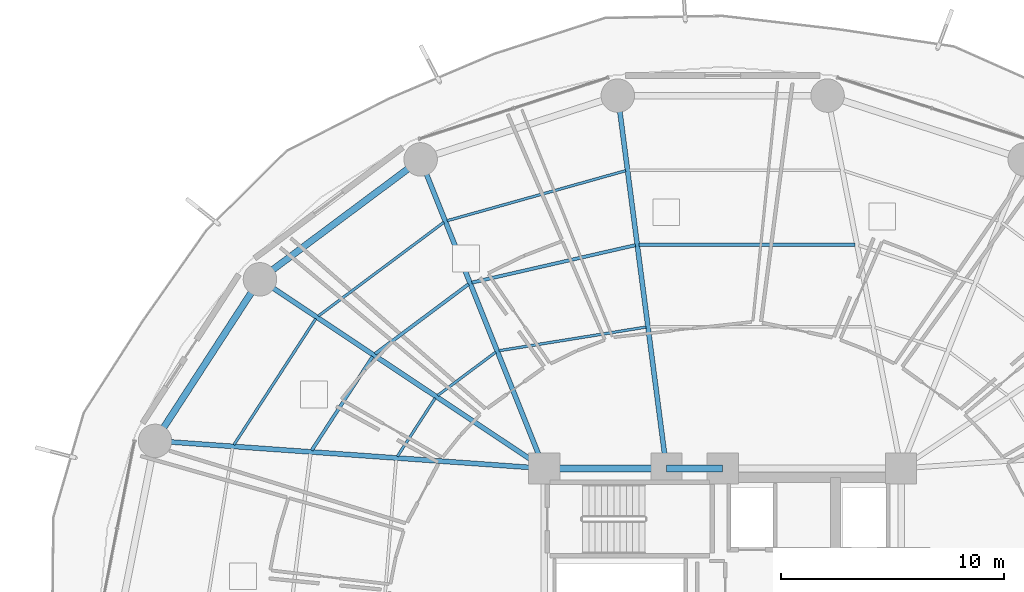
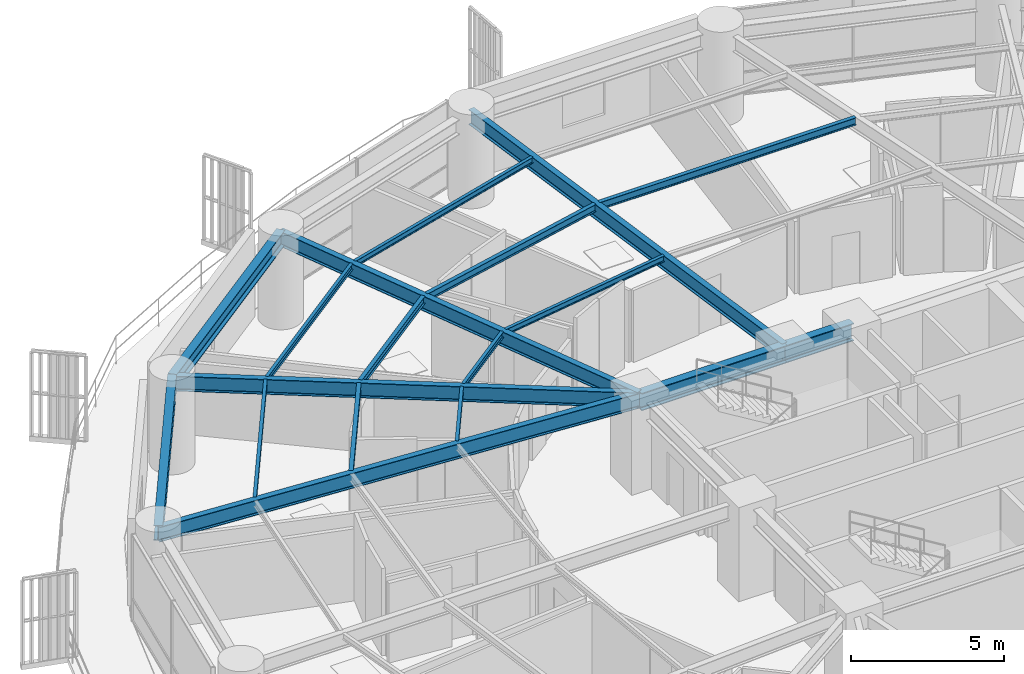
# One storey, part 16 of 33: 18 beams.
"""IFC4 building model written with IfcOpenShell, lengths in metres."""

from ifc_helpers import new_model, si_unit, direction, frame, origin, origin_2d, place, context, subcontext, project, spatial, i_section, extrude, material, material_profile, profile_set, type_object, element, save


model = new_model("IFC4")

# Units and contexts
model_context = context("Model", 3, precision=1e-05, world=origin(), true_north=direction((0.0, 1.0)))
body_context = subcontext(model_context, "Body", "Model", "MODEL_VIEW")
ifc_project = project(units=[si_unit("LENGTHUNIT", "METRE"), si_unit("AREAUNIT", "SQUARE_METRE"), si_unit("VOLUMEUNIT", "CUBIC_METRE"), si_unit("PLANEANGLEUNIT", "RADIAN"), si_unit("MASSUNIT", "GRAM", prefix="KILO")], contexts=[model_context])

# Site, building, storey
site_placement = place(None, origin())
site = spatial("IfcSite", under=ifc_project, at=site_placement, CompositionType="ELEMENT")
building_placement = place(site_placement, origin())
building = spatial("IfcBuilding", under=site, at=building_placement, Name="Kelanora Arch Commons", CompositionType="ELEMENT")
storey_placement = place(building_placement, frame((0.0, 0.0, 45.0)))
storey = spatial("IfcBuildingStorey", under=building, at=storey_placement, Name="L11", CompositionType="ELEMENT", Elevation=45.0)

# Beams
ifc_material = material(Name="Steel S355", Category="steel")
ifc_material_profile_1 = material_profile(ifc_material, i_section(OverallWidth=0.300048828125, OverallDepth=0.699951171875, WebThickness=0.01708984375, FlangeThickness=0.031982421875, FilletRadius=0.027099609375, at=origin_2d()), Name="HEB700")
ifc_profile_set_1 = profile_set([ifc_material_profile_1], Name="Steel S355")
beam_type_1 = type_object("IfcBeamType", Name="BM-CORE-HDR", PredefinedType="BEAM", material=ifc_profile_set_1)
beam_1_placement = place(storey_placement, frame((74.0, 65.0, 3.139892578125), z_axis=(-1.0, 0.0, 0.0), x_axis=(0.0, -1.0, 0.0)))
element("IfcBeam", 1, at=beam_1_placement, inside=storey, type_object=beam_type_1, Name="Core Header Beam 06 L11", PredefinedType="BEAM", context=body_context, shape_type="SweptSolid", body=[
    extrude(i_section(OverallWidth=0.300048828125, OverallDepth=0.699951171875, WebThickness=0.01708984375, FlangeThickness=0.031982421875, FilletRadius=0.027099609375, at=origin_2d()), origin(), (0.0, 0.0, 1.0), 2.52001953125),
])
beam_2_placement = place(storey_placement, frame((71.47998046875, 65.0, 3.139892578125), z_axis=(-1.0, 0.0, 0.0), x_axis=(0.0, -1.0, 0.0)))
element("IfcBeam", 2, at=beam_2_placement, inside=storey, type_object=beam_type_1, Name="Core Header Beam 07 L11", PredefinedType="BEAM", context=body_context, shape_type="SweptSolid", body=[
    extrude(i_section(OverallWidth=0.300048828125, OverallDepth=0.699951171875, WebThickness=0.01708984375, FlangeThickness=0.031982421875, FilletRadius=0.027099609375, at=origin_2d()), origin(), (0.0, 0.0, 1.0), 5.47998046875),
])
ifc_material_profile_2 = material_profile(ifc_material, i_section(OverallWidth=0.14990234375, OverallDepth=0.300048828125, WebThickness=0.007080078125, FlangeThickness=0.0107421875, FilletRadius=0.014892578125, at=origin_2d()), Name="IPE300")
ifc_profile_set_2 = profile_set([ifc_material_profile_2], Name="Steel S355")
beam_type_2 = type_object("IfcBeamType", Name="BM-JST-01", PredefinedType="JOIST", material=ifc_profile_set_2)
beam_3_placement = place(storey_placement, frame((79.936279296875, 75.028564453125, 3.340087890625), z_axis=(-1.0, 0.0, 0.0), x_axis=(0.0, -1.0, 0.0)))
element("IfcBeam", 3, at=beam_3_placement, inside=storey, type_object=beam_type_2, Name="Secondary Chord Joist BJB-08 L11", PredefinedType="JOIST", context=body_context, shape_type="SweptSolid", body=[
    extrude(i_section(OverallWidth=0.14990234375, OverallDepth=0.300048828125, WebThickness=0.007080078125, FlangeThickness=0.0107421875, FilletRadius=0.014892578125, at=origin_2d()), origin(), (0.0, 0.0, 1.0), 9.6806640625),
])
beam_4_placement = place(storey_placement, frame((70.087646484375, 75.009521484375, 3.340087890625), z_axis=(-0.974770159254, -0.223210968877, 0.0), x_axis=(0.223210968877, -0.974770159254, 0.0)))
element("IfcBeam", 4, at=beam_4_placement, inside=storey, type_object=beam_type_2, Name="Secondary Chord Joist BJB-10 L11", PredefinedType="JOIST", context=body_context, shape_type="SweptSolid", body=[
    extrude(i_section(OverallWidth=0.14990234375, OverallDepth=0.300048828125, WebThickness=0.007080078125, FlangeThickness=0.0107421875, FilletRadius=0.014892578125, at=origin_2d()), origin(), (0.0, 0.0, 1.0), 7.5185546875),
])
beam_5_placement = place(storey_placement, frame((62.60791015625, 73.261474609375, 3.340087890625), z_axis=(-0.801478251559, -0.598023922831, 0.0), x_axis=(0.598023922831, -0.801478251559, 0.0)))
element("IfcBeam", 5, at=beam_5_placement, inside=storey, type_object=beam_type_2, Name="Secondary Chord Joist BJB-12 L11", PredefinedType="JOIST", context=body_context, shape_type="SweptSolid", body=[
    extrude(i_section(OverallWidth=0.14990234375, OverallDepth=0.300048828125, WebThickness=0.007080078125, FlangeThickness=0.0107421875, FilletRadius=0.014892578125, at=origin_2d()), origin(), (0.0, 0.0, 1.0), 5.223388671875),
])
beam_6_placement = place(storey_placement, frame((58.306884765625, 70.015625, 3.340087890625), z_axis=(-0.544551588245, -0.838727350061, 0.0), x_axis=(0.838727350061, -0.544551588245, 0.0)))
element("IfcBeam", 6, at=beam_6_placement, inside=storey, type_object=beam_type_2, Name="Secondary Chord Joist BJB-14 L11", PredefinedType="JOIST", context=body_context, shape_type="SweptSolid", body=[
    extrude(i_section(OverallWidth=0.14990234375, OverallDepth=0.300048828125, WebThickness=0.007080078125, FlangeThickness=0.0107421875, FilletRadius=0.014892578125, at=origin_2d()), origin(), (0.0, 0.0, 1.0), 5.010986328125),
])
ifc_material_profile_3 = material_profile(ifc_material, i_section(OverallWidth=0.1201171875, OverallDepth=0.239990234375, WebThickness=0.006103515625, FlangeThickness=0.009765625, FilletRadius=0.014892578125, at=origin_2d()), Name="IPE240")
ifc_profile_set_3 = profile_set([ifc_material_profile_3], Name="Steel S355")
beam_type_3 = type_object("IfcBeamType", Name="BM-JST-02", PredefinedType="JOIST", material=ifc_profile_set_3)
beam_7_placement = place(storey_placement, frame((70.56689453125, 71.337890625, 3.3701171875), z_axis=(-0.987306715654, -0.158825215959, 0.0), x_axis=(0.158825215959, -0.987306715654, 0.0)))
element("IfcBeam", 7, at=beam_7_placement, inside=storey, type_object=beam_type_3, Name="Secondary Chord Joist BJA-10 L11", PredefinedType="JOIST", context=body_context, shape_type="SweptSolid", body=[
    extrude(i_section(OverallWidth=0.1201171875, OverallDepth=0.239990234375, WebThickness=0.006103515625, FlangeThickness=0.009765625, FilletRadius=0.014892578125, at=origin_2d()), origin(), (0.0, 0.0, 1.0), 6.6728515625),
])
beam_8_placement = place(storey_placement, frame((69.652099609375, 78.348388671875, 3.3701171875), z_axis=(-0.962914880978, -0.269805359456, 0.0), x_axis=(0.269805359456, -0.962914880978, 0.0)))
element("IfcBeam", 8, at=beam_8_placement, inside=storey, type_object=beam_type_3, Name="Secondary Chord Joist BJC-10 L11", PredefinedType="JOIST", context=body_context, shape_type="SweptSolid", body=[
    extrude(i_section(OverallWidth=0.1201171875, OverallDepth=0.239990234375, WebThickness=0.006103515625, FlangeThickness=0.009765625, FilletRadius=0.014892578125, at=origin_2d()), origin(), (0.0, 0.0, 1.0), 8.310302734375),
])
beam_9_placement = place(storey_placement, frame((63.82666015625, 70.213623046875, 3.3701171875), z_axis=(-0.801513822608, -0.59797624716, 0.0), x_axis=(0.59797624716, -0.801513822608, 0.0)))
element("IfcBeam", 9, at=beam_9_placement, inside=storey, type_object=beam_type_3, Name="Secondary Chord Joist BJA-12 L11", PredefinedType="JOIST", context=body_context, shape_type="SweptSolid", body=[
    extrude(i_section(OverallWidth=0.1201171875, OverallDepth=0.239990234375, WebThickness=0.006103515625, FlangeThickness=0.009765625, FilletRadius=0.014892578125, at=origin_2d()), origin(), (0.0, 0.0, 1.0), 3.245849609375),
])
beam_10_placement = place(storey_placement, frame((61.5, 76.0322265625, 3.3701171875), z_axis=(-0.80149131963, -0.598006408459, 0.0), x_axis=(0.598006408459, -0.80149131963, 0.0)))
element("IfcBeam", 10, at=beam_10_placement, inside=storey, type_object=beam_type_3, Name="Secondary Chord Joist BJC-12 L11", PredefinedType="JOIST", context=body_context, shape_type="SweptSolid", body=[
    extrude(i_section(OverallWidth=0.1201171875, OverallDepth=0.239990234375, WebThickness=0.006103515625, FlangeThickness=0.009765625, FilletRadius=0.014892578125, at=origin_2d()), origin(), (0.0, 0.0, 1.0), 7.021240234375),
])
beam_11_placement = place(storey_placement, frame((61.11083984375, 68.150390625, 3.3701171875), z_axis=(-0.544591105858, -0.838701691557, 0.0), x_axis=(0.838701691557, -0.544591105858, 0.0)))
element("IfcBeam", 11, at=beam_11_placement, inside=storey, type_object=beam_type_3, Name="Secondary Chord Joist BJA-14 L11", PredefinedType="JOIST", context=body_context, shape_type="SweptSolid", body=[
    extrude(i_section(OverallWidth=0.1201171875, OverallDepth=0.239990234375, WebThickness=0.006103515625, FlangeThickness=0.009765625, FilletRadius=0.014892578125, at=origin_2d()), origin(), (0.0, 0.0, 1.0), 3.111328125),
])
beam_12_placement = place(storey_placement, frame((55.758056640625, 71.711181640625, 3.3701171875), z_axis=(-0.544550165372, -0.838728273873, 0.0), x_axis=(0.838728273873, -0.544550165372, 0.0)))
element("IfcBeam", 12, at=beam_12_placement, inside=storey, type_object=beam_type_3, Name="Secondary Chord Joist BJC-14 L11", PredefinedType="JOIST", context=body_context, shape_type="SweptSolid", body=[
    extrude(i_section(OverallWidth=0.1201171875, OverallDepth=0.239990234375, WebThickness=0.006103515625, FlangeThickness=0.009765625, FilletRadius=0.014892578125, at=origin_2d()), origin(), (0.0, 0.0, 1.0), 6.738037109375),
])
ifc_material_profile_4 = material_profile(ifc_material, i_section(OverallWidth=0.219970703125, OverallDepth=0.60009765625, WebThickness=0.011962890625, FlangeThickness=0.01904296875, FilletRadius=0.02392578125, at=origin_2d()), Name="IPE600")
ifc_profile_set_4 = profile_set([ifc_material_profile_4], Name="Steel S355")
beam_type_4 = type_object("IfcBeamType", Name="BM-RAD-Z1", PredefinedType="BEAM", material=ifc_profile_set_4)
beam_13_placement = place(storey_placement, frame((71.47998046875, 65.0, 3.18994140625), z_axis=(-0.129471691865, 0.991583118556, 0.0), x_axis=(-0.991583118556, -0.129471691865, 0.0)))
element("IfcBeam", 13, at=beam_13_placement, inside=storey, type_object=beam_type_4, Name="Radial Floor Girder BR-10 L11", PredefinedType="BEAM", context=body_context, shape_type="SweptSolid", body=[
    extrude(i_section(OverallWidth=0.219970703125, OverallDepth=0.60009765625, WebThickness=0.011962890625, FlangeThickness=0.01904296875, FilletRadius=0.02392578125, at=origin_2d()), origin(), (0.0, 0.0, 1.0), 16.85595703125),
])
beam_14_placement = place(storey_placement, frame((66.0, 65.0, 3.18994140625), z_axis=(-0.371300398117, 0.928512797089, 0.0), x_axis=(-0.928512797089, -0.371300398117, 0.0)))
element("IfcBeam", 14, at=beam_14_placement, inside=storey, type_object=beam_type_4, Name="Radial Floor Girder BR-12 L11", PredefinedType="BEAM", context=body_context, shape_type="SweptSolid", body=[
    extrude(i_section(OverallWidth=0.219970703125, OverallDepth=0.60009765625, WebThickness=0.011962890625, FlangeThickness=0.01904296875, FilletRadius=0.02392578125, at=origin_2d()), origin(), (0.0, 0.0, 1.0), 14.920654296875),
])
beam_15_placement = place(storey_placement, frame((66.0, 65.0, 3.18994140625), z_axis=(-0.832592187754, 0.553886494591, 0.0), x_axis=(-0.553886494591, -0.832592187754, 0.0)))
element("IfcBeam", 15, at=beam_15_placement, inside=storey, type_object=beam_type_4, Name="Radial Floor Girder BR-14 L11", PredefinedType="BEAM", context=body_context, shape_type="SweptSolid", body=[
    extrude(i_section(OverallWidth=0.219970703125, OverallDepth=0.60009765625, WebThickness=0.011962890625, FlangeThickness=0.01904296875, FilletRadius=0.02392578125, at=origin_2d()), origin(), (0.0, 0.0, 1.0), 15.306884765625),
])
beam_16_placement = place(storey_placement, frame((66.0, 65.0, 3.18994140625), z_axis=(-0.997500683472, 0.070656821848, 0.0), x_axis=(-0.070656821848, -0.997500683472, 0.0)))
element("IfcBeam", 16, at=beam_16_placement, inside=storey, type_object=beam_type_4, Name="Radial Floor Girder BR-16 L11", PredefinedType="BEAM", context=body_context, shape_type="SweptSolid", body=[
    extrude(i_section(OverallWidth=0.219970703125, OverallDepth=0.60009765625, WebThickness=0.011962890625, FlangeThickness=0.01904296875, FilletRadius=0.02392578125, at=origin_2d()), origin(), (0.0, 0.0, 1.0), 17.49072265625),
])
ifc_material_profile_5 = material_profile(ifc_material, i_section(OverallWidth=0.300048828125, OverallDepth=0.60009765625, WebThickness=0.015380859375, FlangeThickness=0.030029296875, FilletRadius=0.027099609375, at=origin_2d()), Name="HEB600")
ifc_profile_set_5 = profile_set([ifc_material_profile_5], Name="Steel S355")
beam_type_5 = type_object("IfcBeamType", Name="BM-SPN-Z1", PredefinedType="SPANDREL", material=ifc_profile_set_5)
beam_17_placement = place(storey_placement, frame((60.4599609375, 78.85400390625, 3.18994140625), z_axis=(-0.801467504127, -0.598038326388, 0.0), x_axis=(0.598038326388, -0.801467504127, 0.0)))
element("IfcBeam", 17, at=beam_17_placement, inside=storey, type_object=beam_type_5, Name="Perimeter Spandrel Beam BS-12 L11", PredefinedType="SPANDREL", context=body_context, shape_type="SweptSolid", body=[
    extrude(i_section(OverallWidth=0.300048828125, OverallDepth=0.60009765625, WebThickness=0.015380859375, FlangeThickness=0.030029296875, FilletRadius=0.027099609375, at=origin_2d()), origin(), (0.0, 0.0, 1.0), 8.989013671875),
])
beam_18_placement = place(storey_placement, frame((53.255615234375, 73.478271484375, 3.18994140625), z_axis=(-0.544585813928, -0.838705127722, 0.0), x_axis=(0.838705127722, -0.544585813928, 0.0)))
element("IfcBeam", 18, at=beam_18_placement, inside=storey, type_object=beam_type_5, Name="Perimeter Spandrel Beam BS-14 L11", PredefinedType="SPANDREL", context=body_context, shape_type="SweptSolid", body=[
    extrude(i_section(OverallWidth=0.300048828125, OverallDepth=0.60009765625, WebThickness=0.015380859375, FlangeThickness=0.030029296875, FilletRadius=0.027099609375, at=origin_2d()), origin(), (0.0, 0.0, 1.0), 8.63525390625),
])

save(model, "model.ifc")
